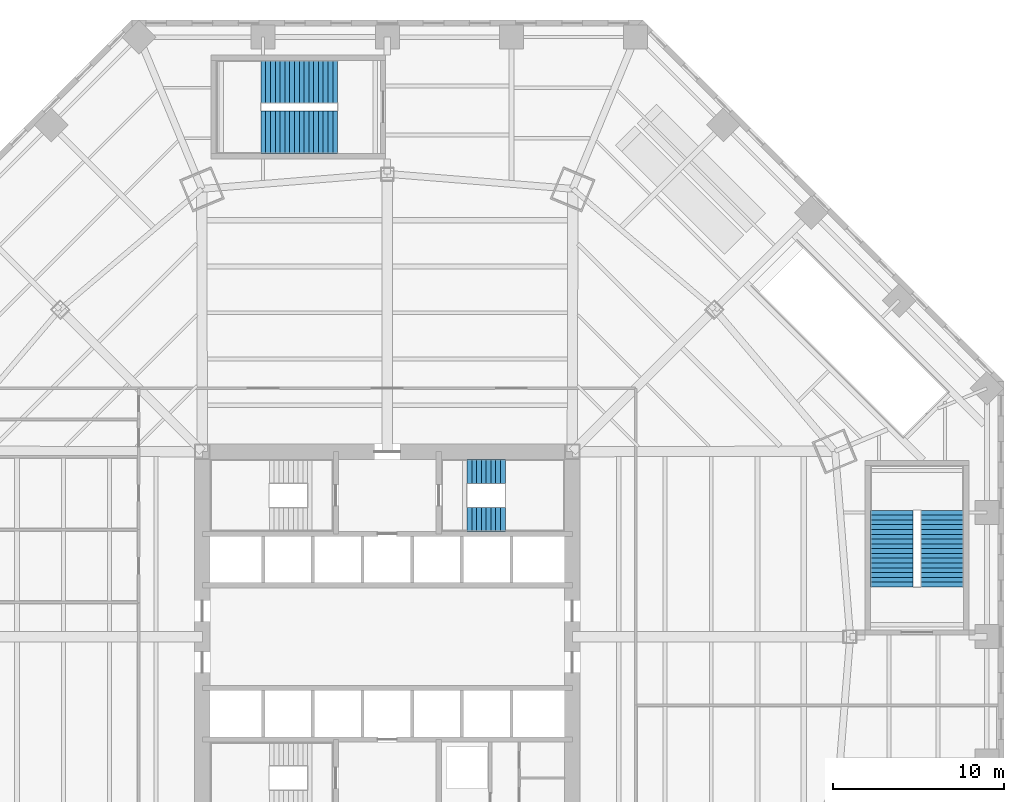
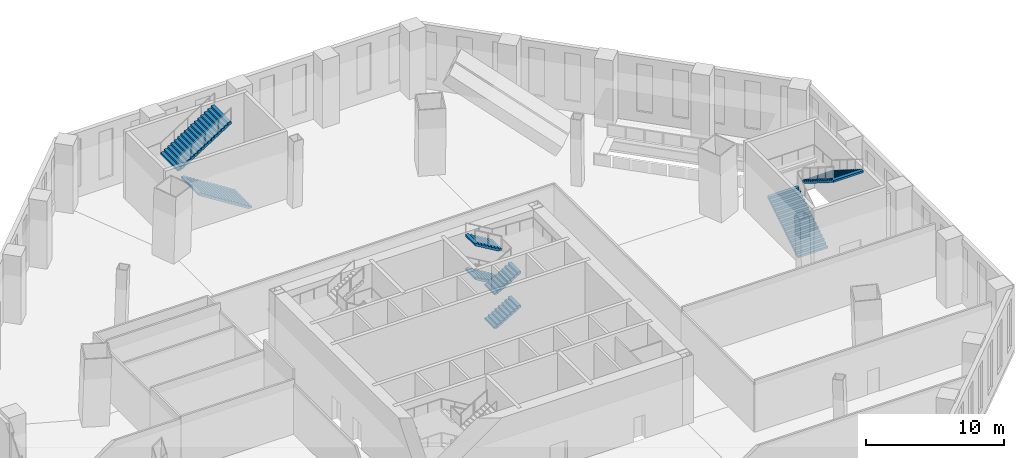
# One storey, part 14 of 20: 8 stair flights, 3 elements without a shape of their own.
"""IFC4 building model written with IfcOpenShell, lengths in metres."""

import ifcopenshell
import ifcopenshell.guid

model = None  # the IFC model being written
_history = None  # IfcOwnerHistory: only IFC2X3 demands one
_inside = {}  # id of a spatial element -> (the spatial element, [elements in it])
_under = {}  # id of a project, library or spatial element -> (it, [spatial elements below it])
_declared = {}  # id of a project -> (the project, [libraries it declares])
_typed = {}  # id of a type object -> (the type object, [elements of that type])
_made_of = {}  # id of a material, layer set ... -> (it, [elements and type objects made of it])


def new_model(schema):
    """Start an empty IFC model of exactly this schema.

    Asked for "IFC4X3", IfcOpenShell would pick the latest addendum, in which some entities
    have other attributes; the version numbers below select the first issue.
    IFC2X3 requires an IfcOwnerHistory on every rooted entity: one is made here for all.
    """
    global model, _history
    if schema == "IFC4X3":
        model = ifcopenshell.file(schema_version=(4, 3, 0, 0))
    else:
        model = ifcopenshell.file(schema=schema)
    _inside.clear()
    _under.clear()
    _declared.clear()
    _typed.clear()
    _made_of.clear()
    _history = None
    if model.schema == "IFC2X3":
        org = make("IfcOrganization", Name="unknown")
        user = make(
            "IfcPersonAndOrganization",
            ThePerson=make("IfcPerson", FamilyName="unknown"),
            TheOrganization=org,
        )
        app = make(
            "IfcApplication",
            ApplicationDeveloper=org,
            Version="unknown",
            ApplicationFullName="unknown",
            ApplicationIdentifier="unknown",
        )
        _history = make(
            "IfcOwnerHistory",
            OwningUser=user,
            OwningApplication=app,
            ChangeAction="ADDED",
            CreationDate=0,
        )
    return model


def make(cls, **values):
    """One entity of the class cls with the attributes given. An attribute that is None is left unset."""
    return model.create_entity(
        cls, **{name: value for name, value in values.items() if value is not None}
    )


def rooted(cls, **values):
    """An entity with a GlobalId (a new one), such as an element, a storey or a relation."""
    return make(cls, GlobalId=ifcopenshell.guid.new(), OwnerHistory=_history, **values)


def si_unit(unit_type, name, prefix=None):
    """IfcSIUnit, for example si_unit("LENGTHUNIT", "METRE", prefix="MILLI")."""
    return make("IfcSIUnit", UnitType=unit_type, Prefix=prefix, Name=name)


def assignment(units):
    """IfcUnitAssignment: the units of a project."""
    return None if units is None else make("IfcUnitAssignment", Units=units)


def point(xyz):
    """IfcCartesianPoint."""
    return None if xyz is None else make("IfcCartesianPoint", Coordinates=xyz)


def direction(xyz):
    """IfcDirection."""
    return None if xyz is None else make("IfcDirection", DirectionRatios=xyz)


def frame(location, z_axis=None, x_axis=None):
    """IfcAxis2Placement3D, a coordinate frame: its origin and axes. An axis left out is left unset."""
    return make(
        "IfcAxis2Placement3D",
        Location=point(location),
        Axis=direction(z_axis),
        RefDirection=direction(x_axis),
    )


def origin():
    """The frame at (0, 0, 0) with its axes left unset."""
    return frame((0.0, 0.0, 0.0))


def place(relative_to, where):
    """IfcLocalPlacement: puts the frame where relative to a parent placement (None: the world)."""
    return make(
        "IfcLocalPlacement", PlacementRelTo=relative_to, RelativePlacement=where
    )


def context(
    kind, dimensions, precision=None, world=None, true_north=None, identifier=None
):
    """IfcGeometricRepresentationContext, for example the 3D "Model" context."""
    return make(
        "IfcGeometricRepresentationContext",
        ContextIdentifier=identifier,
        ContextType=kind,
        CoordinateSpaceDimension=dimensions,
        Precision=precision,
        WorldCoordinateSystem=world,
        TrueNorth=true_north,
    )


def subcontext(parent, identifier, kind, view, scale=None):
    """IfcGeometricRepresentationSubContext, for example "Body" below "Model"."""
    return make(
        "IfcGeometricRepresentationSubContext",
        ContextIdentifier=identifier,
        ContextType=kind,
        ParentContext=parent,
        TargetScale=scale,
        TargetView=view,
    )


def project(units=None, contexts=None):
    """IfcProject with its units and contexts."""
    return rooted(
        "IfcProject",
        Name="project",
        RepresentationContexts=contexts,
        UnitsInContext=assignment(units),
    )


def spatial(cls, under=None, at=None, **own):
    """A site, building, storey or space (cls), placed at a placement, below another one or the project."""
    s = rooted(cls, ObjectPlacement=at, **own)
    if under is not None:
        _under.setdefault(under.id(), (under, []))[1].append(s)
    return s


def polyline(points):
    """IfcPolyline through the points."""
    return make("IfcPolyline", Points=[point(p) for p in points])


def outline(outer, holes=None, kind="AREA"):
    """IfcArbitraryClosedProfileDef: a profile drawn as a closed curve; with holes, ...WithVoids."""
    if holes is None:
        return make("IfcArbitraryClosedProfileDef", ProfileType=kind, OuterCurve=outer)
    return make(
        "IfcArbitraryProfileDefWithVoids",
        ProfileType=kind,
        OuterCurve=outer,
        InnerCurves=holes,
    )


def extrude(swept, where, along, depth):
    """IfcExtrudedAreaSolid: the profile swept, set in the frame where, extruded along a direction by depth."""
    return make(
        "IfcExtrudedAreaSolid",
        SweptArea=swept,
        Position=where,
        ExtrudedDirection=direction(along),
        Depth=depth,
    )


def shape(context_of_items, identifier, shape_type, items):
    """IfcShapeRepresentation: the items that make up one representation, for example the "Body"."""
    return make(
        "IfcShapeRepresentation",
        ContextOfItems=context_of_items,
        RepresentationIdentifier=identifier,
        RepresentationType=shape_type,
        Items=items,
    )


def material(Name=None, Category=None):
    """IfcMaterial."""
    return make("IfcMaterial", Name=Name, Category=Category)


def made_of(thing, what):
    """Note that an element or type object is made of a material, layer set ...; save() writes the relation."""
    if what is not None:
        _made_of.setdefault(what.id(), (what, []))[1].append(thing)
    return thing


def type_object(cls, material=None, **own):
    """A type object (cls), such as IfcWallType, which elements share."""
    return made_of(rooted(cls, **own), material)


def element(
    cls,
    number,
    at=None,
    inside=None,
    cuts=None,
    type_object=None,
    material=None,
    context=None,
    identifier="Body",
    shape_type=None,
    held_by="IfcProductDefinitionShape",
    body=None,
    shapes=None,
    **own,
):
    """One element of the class cls, such as IfcWall. Its Tag is "e" and its number.

    at: its placement. inside: the storey or other place that contains it. cuts: it is an
    opening in that element (IfcRelVoidsElement). A single representation is given by context,
    identifier, shape_type and body (its items); several are given by shapes. held_by: the class
    of the entity that holds the representations. save() writes the other relations.
    """
    e = rooted(cls, Tag="e%d" % number, ObjectPlacement=at, **own)
    if body is not None:
        shapes = [shape(context, identifier, shape_type, body)]
    if shapes is not None:
        e.Representation = make(held_by, Representations=shapes)
    if inside is not None:
        _inside.setdefault(inside.id(), (inside, []))[1].append(e)
    if cuts is not None:
        rooted(
            "IfcRelVoidsElement", RelatingBuildingElement=cuts, RelatedOpeningElement=e
        )
    if type_object is not None:
        _typed.setdefault(type_object.id(), (type_object, []))[1].append(e)
    return made_of(e, material)


def aggregate(whole, parts):
    """IfcRelAggregates: a whole, such as a stair, and the parts it consists of."""
    return rooted("IfcRelAggregates", RelatingObject=whole, RelatedObjects=parts)


def save(model, path):
    """Write the relations noted so far, then the file.

    IfcRelAggregates (storeys below a building ...), IfcRelContainedInSpatialStructure (elements
    in a storey), IfcRelDefinesByType, IfcRelAssociatesMaterial and IfcRelDeclares: one each for
    every whole, place, type object, material and project.
    """
    for whole, parts in _under.values():
        aggregate(whole, parts)
    for where, things in _inside.values():
        rooted(
            "IfcRelContainedInSpatialStructure",
            RelatedElements=things,
            RelatingStructure=where,
        )
    for kind, things in _typed.values():
        rooted("IfcRelDefinesByType", RelatedObjects=things, RelatingType=kind)
    for what, things in _made_of.values():
        rooted("IfcRelAssociatesMaterial", RelatedObjects=things, RelatingMaterial=what)
    for by, libraries in _declared.values():
        rooted("IfcRelDeclares", RelatingContext=by, RelatedDefinitions=libraries)
    model.write(path)


model = new_model("IFC4")

# Units and contexts
model_context = context("Model", 3, precision=1e-05, world=origin(), true_north=direction((0.0, 1.0)))
body_context = subcontext(model_context, "Body", "Model", "MODEL_VIEW")
ifc_project = project(units=[si_unit("LENGTHUNIT", "METRE"), si_unit("AREAUNIT", "SQUARE_METRE"), si_unit("VOLUMEUNIT", "CUBIC_METRE"), si_unit("PLANEANGLEUNIT", "RADIAN"), si_unit("MASSUNIT", "GRAM", prefix="KILO")], contexts=[model_context])

# Site, building, storey
site_placement = place(None, origin())
site = spatial("IfcSite", under=ifc_project, at=site_placement, CompositionType="ELEMENT")
building_placement = place(site_placement, origin())
building = spatial("IfcBuilding", under=site, at=building_placement, Name="Mashrafa Tower", CompositionType="ELEMENT")
storey_placement = place(building_placement, frame((0.0, 0.0, 7.199951171875)))
storey = spatial("IfcBuildingStorey", under=building, at=storey_placement, Name="L01", CompositionType="ELEMENT", Elevation=7.199951171875)

# Stair, stair flights
ifc_material_1 = material(Name="Exit stair 1400")
stair_type_1 = type_object("IfcStairType", Name="Exit stair 1400", PredefinedType="HALF_TURN_STAIR", material=ifc_material_1)
stair_1_placement = place(storey_placement, origin())
stair_1 = element("IfcStair", 1, at=stair_1_placement, inside=storey, type_object=stair_type_1, Name="Stair S2 L01", PredefinedType="HALF_TURN_STAIR")
ifc_material_2 = material(Name="Concrete C32/40", Category="concrete")
stair_flight_type_1 = type_object("IfcStairFlightType", Name="Stair flight 1400", PredefinedType="STRAIGHT", material=ifc_material_2)
stair_flight_1_placement = place(storey_placement, frame((4.64990234375, 6.85009765625, 0.0), z_axis=(0.0, 0.0, 1.0), x_axis=(1.0, 0.0, 0.0)))
stair_flight_1 = element("IfcStairFlight", 2, at=stair_flight_1_placement, type_object=stair_flight_type_1, Name="S2 flight 1", NumberOfRisers=9, NumberOfTreads=8, PredefinedType="STRAIGHT", RiserHeight=0.166666667, TreadLength=0.28, context=body_context, shape_type="SweptSolid", body=[
    extrude(outline(polyline([(0.0, 0.0), (0.0, 0.166748046875), (0.280029296875, 0.166748046875), (0.280029296875, 0.333251953125), (0.56005859375, 0.333251953125), (0.56005859375, 0.5), (0.840087890625, 0.5), (0.840087890625, 0.666748046875), (1.1201171875, 0.666748046875), (1.1201171875, 0.833251953125), (1.39990234375, 0.833251953125), (1.39990234375, 1.0), (1.679931640625, 1.0), (1.679931640625, 1.166748046875), (1.9599609375, 1.166748046875), (1.9599609375, 1.333251953125), (2.239990234375, 1.333251953125), (2.239990234375, 1.5), (2.239990234375, 1.158935546875), (0.29296875, 0.0), (0.0, 0.0)])), frame((0.0, 0.699951171875, 0.0), z_axis=(0.0, -1.0, 0.0), x_axis=(1.0, 0.0, 0.0)), (0.0, 0.0, 1.0), 1.39990234375),
])
stair_flight_2_placement = place(storey_placement, frame((6.889892578125, 9.64990234375, 1.5), z_axis=(0.0, 0.0, 1.0), x_axis=(-1.0, 0.0, 0.0)))
stair_flight_2 = element("IfcStairFlight", 3, at=stair_flight_2_placement, type_object=stair_flight_type_1, Name="S2 flight 2", NumberOfRisers=9, NumberOfTreads=8, PredefinedType="STRAIGHT", RiserHeight=0.166666667, TreadLength=0.28, context=body_context, shape_type="SweptSolid", body=[
    extrude(outline(polyline([(0.0, 0.0), (0.0, 0.166748046875), (0.280029296875, 0.166748046875), (0.280029296875, 0.333251953125), (0.56005859375, 0.333251953125), (0.56005859375, 0.5), (0.840087890625, 0.5), (0.840087890625, 0.666748046875), (1.1201171875, 0.666748046875), (1.1201171875, 0.833251953125), (1.39990234375, 0.833251953125), (1.39990234375, 1.0), (1.679931640625, 1.0), (1.679931640625, 1.166748046875), (1.9599609375, 1.166748046875), (1.9599609375, 1.333251953125), (2.239990234375, 1.333251953125), (2.239990234375, 1.5), (2.239990234375, 1.158935546875), (0.29296875, 0.0), (0.0, 0.0)])), frame((0.0, 0.699951171875, 0.0), z_axis=(0.0, -1.0, 0.0), x_axis=(1.0, 0.0, 0.0)), (0.0, 0.0, 1.0), 1.39990234375),
])
stair_flight_3_placement = place(storey_placement, frame((4.64990234375, 6.85009765625, 3.0), z_axis=(0.0, 0.0, 1.0), x_axis=(1.0, 0.0, 0.0)))
stair_flight_3 = element("IfcStairFlight", 4, at=stair_flight_3_placement, type_object=stair_flight_type_1, Name="S2 flight 3", NumberOfRisers=9, NumberOfTreads=8, PredefinedType="STRAIGHT", RiserHeight=0.166666667, TreadLength=0.28, context=body_context, shape_type="SweptSolid", body=[
    extrude(outline(polyline([(0.0, 0.0), (0.0, 0.166748046875), (0.280029296875, 0.166748046875), (0.280029296875, 0.333251953125), (0.56005859375, 0.333251953125), (0.56005859375, 0.5), (0.840087890625, 0.5), (0.840087890625, 0.666748046875), (1.1201171875, 0.666748046875), (1.1201171875, 0.833251953125), (1.39990234375, 0.833251953125), (1.39990234375, 1.0), (1.679931640625, 1.0), (1.679931640625, 1.166748046875), (1.9599609375, 1.166748046875), (1.9599609375, 1.333251953125), (2.239990234375, 1.333251953125), (2.239990234375, 1.5), (2.239990234375, 1.158935546875), (0.29296875, 0.0), (0.0, 0.0)])), frame((0.0, 0.699951171875, 0.0), z_axis=(0.0, -1.0, 0.0), x_axis=(1.0, 0.0, 0.0)), (0.0, 0.0, 1.0), 1.39990234375),
])
stair_flight_4_placement = place(storey_placement, frame((6.889892578125, 9.64990234375, 4.5), z_axis=(0.0, 0.0, 1.0), x_axis=(-1.0, 0.0, 0.0)))
stair_flight_4 = element("IfcStairFlight", 5, at=stair_flight_4_placement, type_object=stair_flight_type_1, Name="S2 flight 4", NumberOfRisers=9, NumberOfTreads=8, PredefinedType="STRAIGHT", RiserHeight=0.166666667, TreadLength=0.28, context=body_context, shape_type="SweptSolid", body=[
    extrude(outline(polyline([(0.0, 0.0), (0.0, 0.166748046875), (0.280029296875, 0.166748046875), (0.280029296875, 0.333251953125), (0.56005859375, 0.333251953125), (0.56005859375, 0.5), (0.840087890625, 0.5), (0.840087890625, 0.666748046875), (1.1201171875, 0.666748046875), (1.1201171875, 0.833251953125), (1.39990234375, 0.833251953125), (1.39990234375, 1.0), (1.679931640625, 1.0), (1.679931640625, 1.166748046875), (1.9599609375, 1.166748046875), (1.9599609375, 1.333251953125), (2.239990234375, 1.333251953125), (2.239990234375, 1.5), (2.239990234375, 1.158935546875), (0.29296875, 0.0), (0.0, 0.0)])), frame((0.0, 0.699951171875, 0.0), z_axis=(0.0, -1.0, 0.0), x_axis=(1.0, 0.0, 0.0)), (0.0, 0.0, 1.0), 1.39990234375),
])
aggregate(stair_1, [stair_flight_1, stair_flight_2, stair_flight_3, stair_flight_4])

ifc_material_3 = material(Name="Exit stair 2500")
stair_type_2 = type_object("IfcStairType", Name="Exit stair 2500", PredefinedType="HALF_TURN_STAIR", material=ifc_material_3)
stair_2_placement = place(storey_placement, origin())
stair_2 = element("IfcStair", 6, at=stair_2_placement, inside=storey, type_object=stair_type_2, Name="Stair P1 L01", PredefinedType="HALF_TURN_STAIR")
ifc_material_4 = material(Name="Concrete C32/40", Category="concrete")
stair_flight_type_2 = type_object("IfcStairFlightType", Name="Stair flight 2500", PredefinedType="STRAIGHT", material=ifc_material_4)
stair_flight_5_placement = place(storey_placement, frame((29.449951171875, 2.89990234375, 0.0), z_axis=(0.0, 0.0, 1.0), x_axis=(0.0, 1.0, 0.0)))
stair_flight_5 = element("IfcStairFlight", 7, at=stair_flight_5_placement, type_object=stair_flight_type_2, Name="P1 flight 1", NumberOfRisers=17, NumberOfTreads=16, PredefinedType="STRAIGHT", RiserHeight=0.176470588, TreadLength=0.28, context=body_context, shape_type="SweptSolid", body=[
    extrude(outline(polyline([(0.0, 0.0), (0.0, 0.176513671875), (0.280029296875, 0.176513671875), (0.280029296875, 0.35302734375), (0.56005859375, 0.35302734375), (0.56005859375, 0.529296875), (0.840087890625, 0.529296875), (0.840087890625, 0.705810546875), (1.1201171875, 0.705810546875), (1.1201171875, 0.88232421875), (1.39990234375, 0.88232421875), (1.39990234375, 1.058837890625), (1.679931640625, 1.058837890625), (1.679931640625, 1.2353515625), (1.9599609375, 1.2353515625), (1.9599609375, 1.411865234375), (2.239990234375, 1.411865234375), (2.239990234375, 1.588134765625), (2.52001953125, 1.588134765625), (2.52001953125, 1.7646484375), (2.800048828125, 1.7646484375), (2.800048828125, 1.941162109375), (3.080078125, 1.941162109375), (3.080078125, 2.11767578125), (3.360107421875, 2.11767578125), (3.360107421875, 2.294189453125), (3.639892578125, 2.294189453125), (3.639892578125, 2.470703125), (3.919921875, 2.470703125), (3.919921875, 2.64697265625), (4.199951171875, 2.64697265625), (4.199951171875, 2.823486328125), (4.47998046875, 2.823486328125), (4.47998046875, 3.0), (4.47998046875, 2.646240234375), (0.28125, 0.0), (0.0, 0.0)])), frame((0.0, 1.25, 0.0), z_axis=(0.0, -1.0, 0.0), x_axis=(1.0, 0.0, 0.0)), (0.0, 0.0, 1.0), 2.5),
])
stair_flight_6_placement = place(storey_placement, frame((32.39990234375, 7.3798828125, 3.0), z_axis=(0.0, 0.0, 1.0), x_axis=(0.0, -1.0, 0.0)))
stair_flight_6 = element("IfcStairFlight", 8, at=stair_flight_6_placement, type_object=stair_flight_type_2, Name="P1 flight 2", NumberOfRisers=17, NumberOfTreads=16, PredefinedType="STRAIGHT", RiserHeight=0.176470588, TreadLength=0.28, context=body_context, shape_type="SweptSolid", body=[
    extrude(outline(polyline([(0.0, 0.0), (0.0, 0.176513671875), (0.280029296875, 0.176513671875), (0.280029296875, 0.35302734375), (0.56005859375, 0.35302734375), (0.56005859375, 0.529296875), (0.840087890625, 0.529296875), (0.840087890625, 0.705810546875), (1.1201171875, 0.705810546875), (1.1201171875, 0.88232421875), (1.39990234375, 0.88232421875), (1.39990234375, 1.058837890625), (1.679931640625, 1.058837890625), (1.679931640625, 1.2353515625), (1.9599609375, 1.2353515625), (1.9599609375, 1.411865234375), (2.239990234375, 1.411865234375), (2.239990234375, 1.588134765625), (2.52001953125, 1.588134765625), (2.52001953125, 1.7646484375), (2.800048828125, 1.7646484375), (2.800048828125, 1.941162109375), (3.080078125, 1.941162109375), (3.080078125, 2.11767578125), (3.360107421875, 2.11767578125), (3.360107421875, 2.294189453125), (3.639892578125, 2.294189453125), (3.639892578125, 2.470703125), (3.919921875, 2.470703125), (3.919921875, 2.64697265625), (4.199951171875, 2.64697265625), (4.199951171875, 2.823486328125), (4.47998046875, 2.823486328125), (4.47998046875, 3.0), (4.47998046875, 2.646240234375), (0.28125, 0.0), (0.0, 0.0)])), frame((0.0, 1.25, 0.0), z_axis=(0.0, -1.0, 0.0), x_axis=(1.0, 0.0, 0.0)), (0.0, 0.0, 1.0), 2.5),
])
aggregate(stair_2, [stair_flight_5, stair_flight_6])

stair_3_placement = place(storey_placement, origin())
stair_3 = element("IfcStair", 9, at=stair_3_placement, inside=storey, type_object=stair_type_2, Name="Stair P2 L01", PredefinedType="HALF_TURN_STAIR")
stair_flight_7_placement = place(storey_placement, frame((-2.89990234375, 29.449951171875, 0.0), z_axis=(0.0, 0.0, 1.0), x_axis=(-1.0, 0.0, 0.0)))
stair_flight_7 = element("IfcStairFlight", 10, at=stair_flight_7_placement, type_object=stair_flight_type_2, Name="P2 flight 1", NumberOfRisers=17, NumberOfTreads=16, PredefinedType="STRAIGHT", RiserHeight=0.176470588, TreadLength=0.28, context=body_context, shape_type="SweptSolid", body=[
    extrude(outline(polyline([(0.0, 0.0), (0.0, 0.176513671875), (0.280029296875, 0.176513671875), (0.280029296875, 0.35302734375), (0.56005859375, 0.35302734375), (0.56005859375, 0.529296875), (0.840087890625, 0.529296875), (0.840087890625, 0.705810546875), (1.1201171875, 0.705810546875), (1.1201171875, 0.88232421875), (1.39990234375, 0.88232421875), (1.39990234375, 1.058837890625), (1.679931640625, 1.058837890625), (1.679931640625, 1.2353515625), (1.9599609375, 1.2353515625), (1.9599609375, 1.411865234375), (2.239990234375, 1.411865234375), (2.239990234375, 1.588134765625), (2.52001953125, 1.588134765625), (2.52001953125, 1.7646484375), (2.800048828125, 1.7646484375), (2.800048828125, 1.941162109375), (3.080078125, 1.941162109375), (3.080078125, 2.11767578125), (3.360107421875, 2.11767578125), (3.360107421875, 2.294189453125), (3.639892578125, 2.294189453125), (3.639892578125, 2.470703125), (3.919921875, 2.470703125), (3.919921875, 2.64697265625), (4.199951171875, 2.64697265625), (4.199951171875, 2.823486328125), (4.47998046875, 2.823486328125), (4.47998046875, 3.0), (4.47998046875, 2.646240234375), (0.28125, 0.0), (0.0, 0.0)])), frame((0.0, 1.25, 0.0), z_axis=(0.0, -1.0, 0.0), x_axis=(1.0, 0.0, 0.0)), (0.0, 0.0, 1.0), 2.5),
])
stair_flight_8_placement = place(storey_placement, frame((-7.3798828125, 32.39990234375, 3.0), z_axis=(0.0, 0.0, 1.0), x_axis=(1.0, 0.0, 0.0)))
stair_flight_8 = element("IfcStairFlight", 11, at=stair_flight_8_placement, type_object=stair_flight_type_2, Name="P2 flight 2", NumberOfRisers=17, NumberOfTreads=16, PredefinedType="STRAIGHT", RiserHeight=0.176470588, TreadLength=0.28, context=body_context, shape_type="SweptSolid", body=[
    extrude(outline(polyline([(0.0, 0.0), (0.0, 0.176513671875), (0.280029296875, 0.176513671875), (0.280029296875, 0.35302734375), (0.56005859375, 0.35302734375), (0.56005859375, 0.529296875), (0.840087890625, 0.529296875), (0.840087890625, 0.705810546875), (1.1201171875, 0.705810546875), (1.1201171875, 0.88232421875), (1.39990234375, 0.88232421875), (1.39990234375, 1.058837890625), (1.679931640625, 1.058837890625), (1.679931640625, 1.2353515625), (1.9599609375, 1.2353515625), (1.9599609375, 1.411865234375), (2.239990234375, 1.411865234375), (2.239990234375, 1.588134765625), (2.52001953125, 1.588134765625), (2.52001953125, 1.7646484375), (2.800048828125, 1.7646484375), (2.800048828125, 1.941162109375), (3.080078125, 1.941162109375), (3.080078125, 2.11767578125), (3.360107421875, 2.11767578125), (3.360107421875, 2.294189453125), (3.639892578125, 2.294189453125), (3.639892578125, 2.470703125), (3.919921875, 2.470703125), (3.919921875, 2.64697265625), (4.199951171875, 2.64697265625), (4.199951171875, 2.823486328125), (4.47998046875, 2.823486328125), (4.47998046875, 3.0), (4.47998046875, 2.646240234375), (0.28125, 0.0), (0.0, 0.0)])), frame((0.0, 1.25, 0.0), z_axis=(0.0, -1.0, 0.0), x_axis=(1.0, 0.0, 0.0)), (0.0, 0.0, 1.0), 2.5),
])
aggregate(stair_3, [stair_flight_7, stair_flight_8])

save(model, "model.ifc")
